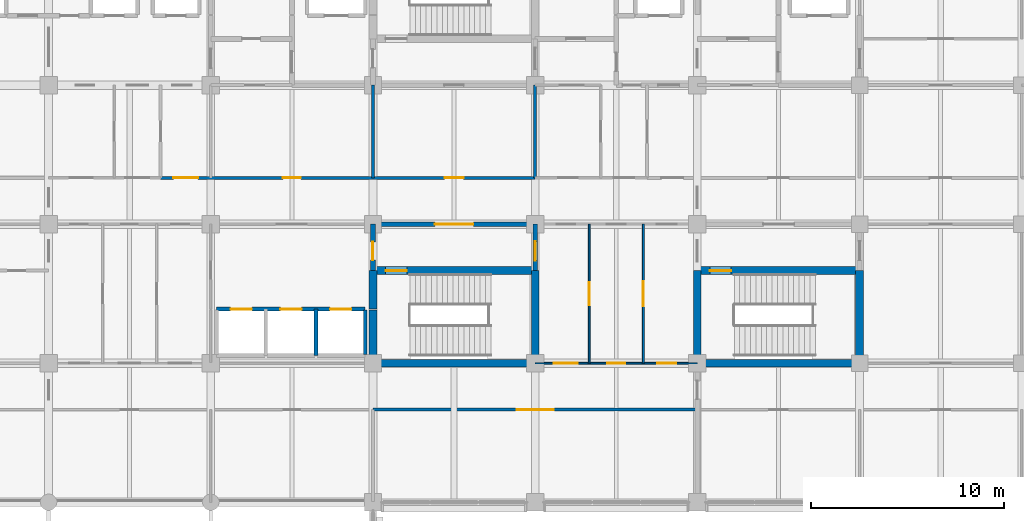
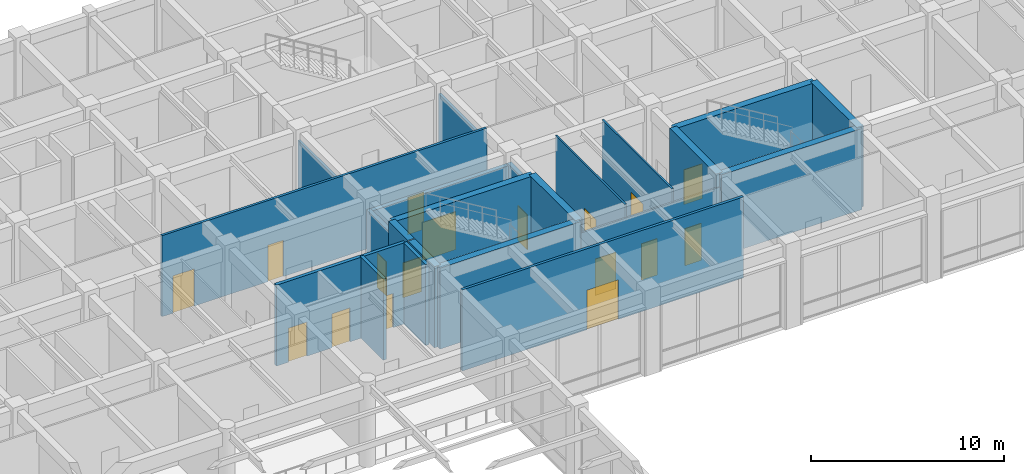
# One storey, part 38 of 58: 22 walls, 17 doors, 17 openings.
"""IFC4 building model written with IfcOpenShell, lengths in metres."""

from ifc_helpers import new_model, si_unit, direction, frame, frame_2d, origin, place, context, subcontext, project, spatial, rectangle, extrude, material, layer, layer_set, type_object, element, fill, save


model = new_model("IFC4")

# Units and contexts
model_context = context("Model", 3, precision=1e-05, world=origin(), true_north=direction((0.0, 1.0)))
body_context = subcontext(model_context, "Body", "Model", "MODEL_VIEW")
ifc_project = project(units=[si_unit("LENGTHUNIT", "METRE"), si_unit("AREAUNIT", "SQUARE_METRE"), si_unit("VOLUMEUNIT", "CUBIC_METRE"), si_unit("PLANEANGLEUNIT", "RADIAN"), si_unit("MASSUNIT", "GRAM", prefix="KILO")], contexts=[model_context])

# Site, building, storey
site_placement = place(None, origin())
site = spatial("IfcSite", under=ifc_project, at=site_placement, CompositionType="ELEMENT")
building_placement = place(site_placement, origin())
building = spatial("IfcBuilding", under=site, at=building_placement, Name="Chengyuan Square Courthouse", CompositionType="ELEMENT")
storey_placement = place(building_placement, frame((0.0, 0.0, 16.199951171875)))
storey = spatial("IfcBuildingStorey", under=building, at=storey_placement, Name="L04", CompositionType="ELEMENT", Elevation=16.199951171875)

# Wall, opening, door
ifc_material_1 = material(Name="Concrete C40", Category="concrete")
ifc_layer_1 = layer(ifc_material_1, 0.25)
ifc_layer_set_1 = layer_set([ifc_layer_1], Name="Concrete C40")
wall_type_1 = type_object("IfcWallType", Name="WL-FW1", PredefinedType="STANDARD", material=ifc_layer_set_1)
wall_1_placement = place(storey_placement, frame((100.800048828125, 93.60009765625, 0.0), z_axis=(0.0, 0.0, 1.0), x_axis=(1.0, 0.0, 0.0)))
wall_1 = element("IfcWall", 1, at=wall_1_placement, inside=storey, type_object=wall_type_1, Name="Interior Wall WL-L04-I1816", PredefinedType="STANDARD", context=body_context, shape_type="SweptSolid", body=[
    extrude(rectangle(XDim=8.39990234375, YDim=0.25, at=frame_2d((4.199951171875, 0.0))), origin(), (0.0, 0.0, 1.0), 4.27001953125),
])
opening_1_placement = place(wall_1_placement, frame((3.199951171875, 0.0, 0.0)))
opening_1 = element("IfcOpeningElement", 2, at=opening_1_placement, cuts=wall_1, Name="Opening DR-1643", PredefinedType="OPENING", context=body_context, shape_type="SweptSolid", body=[
    extrude(rectangle(XDim=2.0, YDim=2.39990234375, at=frame_2d((1.0, 1.199951171875))), frame((0.0, 0.136962890625, 0.0), z_axis=(0.0, -1.0, 0.0), x_axis=(1.0, 0.0, 0.0)), (0.0, 0.0, 1.0), 0.27392578125),
])
ifc_material_2 = material(Name="Steel Q235B Glazed Fire Door", Category="steel")
door_type_1 = type_object("IfcDoorType", Name="DT-20", OperationType="DOUBLE_DOOR_SINGLE_SWING", PredefinedType="DOOR", material=ifc_material_2)
door_1_placement = place(opening_1_placement, frame((2.0, 0.0, 0.0), z_axis=(0.0, 0.0, 1.0), x_axis=(-1.0, 0.0, 0.0)))
door_1 = element("IfcDoor", 3, at=door_1_placement, inside=storey, type_object=door_type_1, Name="Interior Door DR-1643", OperationType="DOUBLE_DOOR_SINGLE_SWING", OverallHeight=2.39990234375, OverallWidth=2.0, PredefinedType="DOOR", context=body_context, shape_type="SweptSolid", body=[
    extrude(rectangle(XDim=2.0, YDim=2.39990234375, at=frame_2d((1.0, 1.199951171875))), frame((0.0, 0.02490234375, 0.0), z_axis=(0.0, -1.0, 0.0), x_axis=(1.0, 0.0, 0.0)), (0.0, 0.0, 1.0), 0.050048828125),
])
fill(opening_1, door_1)

wall_2_placement = place(storey_placement, frame((100.800048828125, 91.199951171875, 0.0), z_axis=(0.0, 0.0, 1.0), x_axis=(0.0, 1.0, 0.0)))
wall_2 = element("IfcWall", 4, at=wall_2_placement, inside=storey, type_object=wall_type_1, Name="Interior Wall WL-L04-I2033", PredefinedType="STANDARD", context=body_context, shape_type="SweptSolid", body=[
    extrude(rectangle(XDim=2.400146484375, YDim=0.25, at=frame_2d((1.2001953125, 0.0))), origin(), (0.0, 0.0, 1.0), 4.3701171875),
])
opening_2_placement = place(wall_2_placement, frame((0.5400390625, 0.0, 0.0)))
opening_2 = element("IfcOpeningElement", 5, at=opening_2_placement, cuts=wall_2, Name="Opening DR-1642", PredefinedType="OPENING", context=body_context, shape_type="SweptSolid", body=[
    extrude(rectangle(XDim=0.949951171875, YDim=2.14990234375, at=frame_2d((0.47509765625, 1.074951171875))), frame((0.0, 0.136962890625, 0.0), z_axis=(0.0, -1.0, 0.0), x_axis=(1.0, 0.0, 0.0)), (0.0, 0.0, 1.0), 0.27392578125),
])
ifc_material_3 = material(Name="Steel Q235B Fire Door", Category="steel")
door_type_2 = type_object("IfcDoorType", Name="DT-12", OperationType="NOTDEFINED", PredefinedType="DOOR", material=ifc_material_3)
door_2_placement = place(opening_2_placement, origin())
door_2 = element("IfcDoor", 6, at=door_2_placement, inside=storey, type_object=door_type_2, Name="Interior Door DR-1642", OperationType="SINGLE_SWING_LEFT", OverallHeight=2.14990234375, OverallWidth=0.949951171875, PredefinedType="DOOR", context=body_context, shape_type="SweptSolid", body=[
    extrude(rectangle(XDim=0.949951171875, YDim=2.14990234375, at=frame_2d((0.47509765625, 1.074951171875))), frame((0.0, 0.02490234375, 0.0), z_axis=(0.0, -1.0, 0.0), x_axis=(1.0, 0.0, 0.0)), (0.0, 0.0, 1.0), 0.050048828125),
])
fill(opening_2, door_2)

wall_3_placement = place(storey_placement, frame((109.199951171875, 91.199951171875, 0.0), z_axis=(0.0, 0.0, 1.0), x_axis=(0.0, 1.0, 0.0)))
wall_3 = element("IfcWall", 7, at=wall_3_placement, inside=storey, type_object=wall_type_1, Name="Interior Wall WL-L04-I2040", PredefinedType="STANDARD", context=body_context, shape_type="SweptSolid", body=[
    extrude(rectangle(XDim=2.400146484375, YDim=0.25, at=frame_2d((1.2001953125, 0.0))), origin(), (0.0, 0.0, 1.0), 4.3701171875),
])
opening_3_placement = place(wall_3_placement, frame((0.514892578125, 0.0, 0.0)))
opening_3 = element("IfcOpeningElement", 8, at=opening_3_placement, cuts=wall_3, Name="Opening DR-1644", PredefinedType="OPENING", context=body_context, shape_type="SweptSolid", body=[
    extrude(rectangle(XDim=1.0, YDim=2.199951171875, at=frame_2d((0.5, 1.10009765625))), frame((0.0, 0.136962890625, 0.0), z_axis=(0.0, -1.0, 0.0), x_axis=(1.0, 0.0, 0.0)), (0.0, 0.0, 1.0), 0.27392578125),
])
door_type_3 = type_object("IfcDoorType", Name="DT-11", OperationType="NOTDEFINED", PredefinedType="DOOR", material=ifc_material_3)
door_3_placement = place(opening_3_placement, origin())
door_3 = element("IfcDoor", 9, at=door_3_placement, inside=storey, type_object=door_type_3, Name="Interior Door DR-1644", OperationType="SINGLE_SWING_RIGHT", OverallHeight=2.199951171875, OverallWidth=1.0, PredefinedType="DOOR", context=body_context, shape_type="SweptSolid", body=[
    extrude(rectangle(XDim=1.0, YDim=2.199951171875, at=frame_2d((0.5, 1.10009765625))), frame((0.0, 0.02490234375, 0.0), z_axis=(0.0, -1.0, 0.0), x_axis=(1.0, 0.0, 0.0)), (0.0, 0.0, 1.0), 0.050048828125),
])
fill(opening_3, door_3)

ifc_material_4 = material(Name="Acoustic Timber-Lined Gypsum Partition", Category="wood")
ifc_layer_2 = layer(ifc_material_4, 0.159912109375)
ifc_layer_set_2 = layer_set([ifc_layer_2], Name="Acoustic Timber-Lined Gypsum Partition")
wall_type_2 = type_object("IfcWallType", Name="WL-PT2", PredefinedType="STANDARD", material=ifc_layer_set_2)
wall_4_placement = place(storey_placement, frame((100.800048828125, 84.0, 0.0), z_axis=(0.0, 0.0, 1.0), x_axis=(1.0, 0.0, 0.0)))
wall_4 = element("IfcWall", 10, at=wall_4_placement, inside=storey, type_object=wall_type_2, Name="Interior Wall WL-L04-I1776", PredefinedType="STANDARD", context=body_context, shape_type="SweptSolid", body=[
    extrude(rectangle(XDim=16.800048828125, YDim=0.159912109375, at=frame_2d((8.39990234375, 0.0))), origin(), (0.0, 0.0, 1.0), 5.1201171875),
])
opening_4_placement = place(wall_4_placement, frame((7.449951171875, 0.0, 0.0)))
opening_4 = element("IfcOpeningElement", 11, at=opening_4_placement, cuts=wall_4, Name="Opening DR-1885", PredefinedType="OPENING", context=body_context, shape_type="SweptSolid", body=[
    extrude(rectangle(XDim=1.89990234375, YDim=2.5, at=frame_2d((0.949951171875, 1.25))), frame((0.0, 0.092041015625, 0.0), z_axis=(0.0, -1.0, 0.0), x_axis=(1.0, 0.0, 0.0)), (0.0, 0.0, 1.0), 0.183837890625),
])
ifc_material_5 = material(Name="Acoustic Larch Veneer Double Door")
door_type_4 = type_object("IfcDoorType", Name="DT-26", OperationType="DOUBLE_DOOR_SINGLE_SWING", PredefinedType="DOOR", material=ifc_material_5)
door_4_placement = place(opening_4_placement, frame((1.89990234375, 0.0, 0.0), z_axis=(0.0, 0.0, 1.0), x_axis=(-1.0, 0.0, 0.0)))
door_4 = element("IfcDoor", 12, at=door_4_placement, inside=storey, type_object=door_type_4, Name="Interior Door DR-1885", OperationType="DOUBLE_DOOR_SINGLE_SWING", OverallHeight=2.5, OverallWidth=1.89990234375, PredefinedType="DOOR", context=body_context, shape_type="SweptSolid", body=[
    extrude(rectangle(XDim=1.89990234375, YDim=2.5, at=frame_2d((0.949951171875, 1.25))), frame((0.0, 0.02490234375, 0.0), z_axis=(0.0, -1.0, 0.0), x_axis=(1.0, 0.0, 0.0)), (0.0, 0.0, 1.0), 0.050048828125),
])
fill(opening_4, door_4)

# Wall, openings, doors
ifc_material_6 = material(Name="Deliberation Room Sound-Insulated Partition")
ifc_layer_3 = layer(ifc_material_6, 0.14990234375)
ifc_layer_set_3 = layer_set([ifc_layer_3], Name="Deliberation Room Sound-Insulated Partition")
wall_type_3 = type_object("IfcWallType", Name="WL-PT3", PredefinedType="STANDARD", material=ifc_layer_set_3)
wall_5_placement = place(storey_placement, frame((89.800048828125, 96.0, 0.0), z_axis=(0.0, 0.0, 1.0), x_axis=(1.0, 0.0, 0.0)))
wall_5 = element("IfcWall", 13, at=wall_5_placement, inside=storey, type_object=wall_type_3, Name="Interior Wall WL-L04-I1829", PredefinedType="STANDARD", context=body_context, shape_type="SweptSolid", body=[
    extrude(rectangle(XDim=19.39990234375, YDim=0.14990234375, at=frame_2d((9.699951171875, 0.0))), origin(), (0.0, 0.0, 1.0), 5.1201171875),
])
opening_5_placement = place(wall_5_placement, frame((0.659912109375, 0.0, 0.0)))
opening_5 = element("IfcOpeningElement", 14, at=opening_5_placement, cuts=wall_5, Name="Opening DR-1775", PredefinedType="OPENING", context=body_context, shape_type="SweptSolid", body=[
    extrude(rectangle(XDim=1.280029296875, YDim=2.35009765625, at=frame_2d((0.64013671875, 1.175048828125))), frame((0.0, 0.0869140625, 0.0), z_axis=(0.0, -1.0, 0.0), x_axis=(1.0, 0.0, 0.0)), (0.0, 0.0, 1.0), 0.173828125),
])
opening_6_placement = place(wall_5_placement, frame((6.330078125, 0.0, 0.0)))
opening_6 = element("IfcOpeningElement", 15, at=opening_6_placement, cuts=wall_5, Name="Opening DR-1776", PredefinedType="OPENING", context=body_context, shape_type="SweptSolid", body=[
    extrude(rectangle(XDim=0.93994140625, YDim=2.300048828125, at=frame_2d((0.469970703125, 1.14990234375))), frame((0.0, 0.0869140625, 0.0), z_axis=(0.0, -1.0, 0.0), x_axis=(1.0, 0.0, 0.0)), (0.0, 0.0, 1.0), 0.173828125),
])
opening_7_placement = place(wall_5_placement, frame((14.7099609375, 0.0, 0.0)))
opening_7 = element("IfcOpeningElement", 16, at=opening_7_placement, cuts=wall_5, Name="Opening DR-1777", PredefinedType="OPENING", context=body_context, shape_type="SweptSolid", body=[
    extrude(rectangle(XDim=0.97998046875, YDim=2.35009765625, at=frame_2d((0.489990234375, 1.175048828125))), frame((0.0, 0.0869140625, 0.0), z_axis=(0.0, -1.0, 0.0), x_axis=(1.0, 0.0, 0.0)), (0.0, 0.0, 1.0), 0.173828125),
])
ifc_material_7 = material(Name="Acoustic Solid-Core Timber Door", Category="wood")
door_type_5 = type_object("IfcDoorType", Name="DT-38", OperationType="NOTDEFINED", PredefinedType="DOOR", material=ifc_material_7)
door_5_placement = place(opening_5_placement, origin())
door_5 = element("IfcDoor", 17, at=door_5_placement, inside=storey, type_object=door_type_5, Name="Interior Door DR-1775", OperationType="SINGLE_SWING_LEFT", OverallHeight=2.35009765625, OverallWidth=1.280029296875, PredefinedType="DOOR", context=body_context, shape_type="SweptSolid", body=[
    extrude(rectangle(XDim=1.280029296875, YDim=2.35009765625, at=frame_2d((0.64013671875, 1.175048828125))), frame((0.0, 0.02490234375, 0.0), z_axis=(0.0, -1.0, 0.0), x_axis=(1.0, 0.0, 0.0)), (0.0, 0.0, 1.0), 0.050048828125),
])
fill(opening_5, door_5)
door_type_6 = type_object("IfcDoorType", Name="DT-39", OperationType="NOTDEFINED", PredefinedType="DOOR", material=ifc_material_7)
door_6_placement = place(opening_6_placement, origin())
door_6 = element("IfcDoor", 18, at=door_6_placement, inside=storey, type_object=door_type_6, Name="Interior Door DR-1776", OperationType="SINGLE_SWING_RIGHT", OverallHeight=2.300048828125, OverallWidth=0.93994140625, PredefinedType="DOOR", context=body_context, shape_type="SweptSolid", body=[
    extrude(rectangle(XDim=0.93994140625, YDim=2.300048828125, at=frame_2d((0.469970703125, 1.14990234375))), frame((0.0, 0.02490234375, 0.0), z_axis=(0.0, -1.0, 0.0), x_axis=(1.0, 0.0, 0.0)), (0.0, 0.0, 1.0), 0.050048828125),
])
fill(opening_6, door_6)
door_type_7 = type_object("IfcDoorType", Name="DT-40", OperationType="NOTDEFINED", PredefinedType="DOOR", material=ifc_material_7)
door_7_placement = place(opening_7_placement, origin())
door_7 = element("IfcDoor", 19, at=door_7_placement, inside=storey, type_object=door_type_7, Name="Interior Door DR-1777", OperationType="SINGLE_SWING_LEFT", OverallHeight=2.35009765625, OverallWidth=0.97998046875, PredefinedType="DOOR", context=body_context, shape_type="SweptSolid", body=[
    extrude(rectangle(XDim=0.97998046875, YDim=2.35009765625, at=frame_2d((0.489990234375, 1.175048828125))), frame((0.0, 0.02490234375, 0.0), z_axis=(0.0, -1.0, 0.0), x_axis=(1.0, 0.0, 0.0)), (0.0, 0.0, 1.0), 0.050048828125),
])
fill(opening_7, door_7)

# Walls
for number, where, z_axis, x_axis, name in (
    (20, (100.800048828125, 96.0, 0.0), (0.0, 0.0, 1.0), (0.0, 1.0, 0.0), "Interior Wall WL-L04-I2034"),
    (21, (109.199951171875, 96.0, 0.0), (0.0, 0.0, 1.0), (0.0, 1.0, 0.0), "Interior Wall WL-L04-I2041"),
):
    element("IfcWall", number, at=place(storey_placement, frame(where, z_axis=z_axis, x_axis=x_axis)), inside=storey, type_object=wall_type_3, Name=name, PredefinedType="STANDARD", context=body_context, shape_type="SweptSolid", body=[
        extrude(rectangle(XDim=4.800048828125, YDim=0.14990234375, at=frame_2d((2.39990234375, 0.0))), origin(), (0.0, 0.0, 1.0), 4.3701171875),
    ])

# Wall, openings, doors
ifc_material_8 = material(Name="Gypsum Plasterboard Acoustic Stud Partition")
ifc_layer_4 = layer(ifc_material_8, 0.10009765625)
ifc_layer_set_4 = layer_set([ifc_layer_4], Name="Gypsum Plasterboard Acoustic Stud Partition")
wall_type_4 = type_object("IfcWallType", Name="WL-PT6", PredefinedType="STANDARD", material=ifc_layer_set_4)
wall_6_placement = place(storey_placement, frame((109.199951171875, 86.39990234375, 0.0), z_axis=(0.0, 0.0, 1.0), x_axis=(1.0, 0.0, 0.0)))
wall_6 = element("IfcWall", 22, at=wall_6_placement, inside=storey, type_object=wall_type_4, Name="Interior Wall WL-L04-I1789", PredefinedType="STANDARD", context=body_context, shape_type="SweptSolid", body=[
    extrude(rectangle(XDim=8.400146484375, YDim=0.10009765625, at=frame_2d((4.2001953125, 0.0))), origin(), (0.0, 0.0, 1.0), 4.27001953125),
])
opening_8_placement = place(wall_6_placement, frame((0.965087890625, 0.0, 0.0)))
opening_8 = element("IfcOpeningElement", 23, at=opening_8_placement, cuts=wall_6, Name="Opening DR-1842", PredefinedType="OPENING", context=body_context, shape_type="SweptSolid", body=[
    extrude(rectangle(XDim=1.239990234375, YDim=2.300048828125, at=frame_2d((0.6201171875, 1.14990234375))), frame((0.0, 0.06201171875, 0.0), z_axis=(0.0, -1.0, 0.0), x_axis=(1.0, 0.0, 0.0)), (0.0, 0.0, 1.0), 0.1240234375),
])
opening_9_placement = place(wall_6_placement, frame((3.72998046875, 0.0, 0.0)))
opening_9 = element("IfcOpeningElement", 24, at=opening_9_placement, cuts=wall_6, Name="Opening DR-1844", PredefinedType="OPENING", context=body_context, shape_type="SweptSolid", body=[
    extrude(rectangle(XDim=0.93994140625, YDim=2.300048828125, at=frame_2d((0.469970703125, 1.14990234375))), frame((0.0, 0.06201171875, 0.0), z_axis=(0.0, -1.0, 0.0), x_axis=(1.0, 0.0, 0.0)), (0.0, 0.0, 1.0), 0.1240234375),
])
opening_10_placement = place(wall_6_placement, frame((6.324951171875, 0.0, 0.0)))
opening_10 = element("IfcOpeningElement", 25, at=opening_10_placement, cuts=wall_6, Name="Opening DR-1845", PredefinedType="OPENING", context=body_context, shape_type="SweptSolid", body=[
    extrude(rectangle(XDim=0.97998046875, YDim=2.35009765625, at=frame_2d((0.489990234375, 1.175048828125))), frame((0.0, 0.06201171875, 0.0), z_axis=(0.0, -1.0, 0.0), x_axis=(1.0, 0.0, 0.0)), (0.0, 0.0, 1.0), 0.1240234375),
])
door_type_8 = type_object("IfcDoorType", Name="DT-37", OperationType="NOTDEFINED", PredefinedType="DOOR", material=ifc_material_7)
door_8_placement = place(opening_8_placement, origin())
door_8 = element("IfcDoor", 26, at=door_8_placement, inside=storey, type_object=door_type_8, Name="Interior Door DR-1842", OperationType="SINGLE_SWING_LEFT", OverallHeight=2.300048828125, OverallWidth=1.239990234375, PredefinedType="DOOR", context=body_context, shape_type="SweptSolid", body=[
    extrude(rectangle(XDim=1.239990234375, YDim=2.300048828125, at=frame_2d((0.6201171875, 1.14990234375))), frame((0.0, 0.02490234375, 0.0), z_axis=(0.0, -1.0, 0.0), x_axis=(1.0, 0.0, 0.0)), (0.0, 0.0, 1.0), 0.050048828125),
])
fill(opening_8, door_8)
door_9_placement = place(opening_9_placement, origin())
door_9 = element("IfcDoor", 27, at=door_9_placement, inside=storey, type_object=door_type_6, Name="Interior Door DR-1844", OperationType="SINGLE_SWING_LEFT", OverallHeight=2.300048828125, OverallWidth=0.93994140625, PredefinedType="DOOR", context=body_context, shape_type="SweptSolid", body=[
    extrude(rectangle(XDim=0.93994140625, YDim=2.300048828125, at=frame_2d((0.469970703125, 1.14990234375))), frame((0.0, 0.02490234375, 0.0), z_axis=(0.0, -1.0, 0.0), x_axis=(1.0, 0.0, 0.0)), (0.0, 0.0, 1.0), 0.050048828125),
])
fill(opening_9, door_9)
door_10_placement = place(opening_10_placement, origin())
door_10 = element("IfcDoor", 28, at=door_10_placement, inside=storey, type_object=door_type_7, Name="Interior Door DR-1845", OperationType="SINGLE_SWING_RIGHT", OverallHeight=2.35009765625, OverallWidth=0.97998046875, PredefinedType="DOOR", context=body_context, shape_type="SweptSolid", body=[
    extrude(rectangle(XDim=0.97998046875, YDim=2.35009765625, at=frame_2d((0.489990234375, 1.175048828125))), frame((0.0, 0.02490234375, 0.0), z_axis=(0.0, -1.0, 0.0), x_axis=(1.0, 0.0, 0.0)), (0.0, 0.0, 1.0), 0.050048828125),
])
fill(opening_10, door_10)

# Wall, opening, door
wall_7_placement = place(storey_placement, frame((112.0, 86.39990234375, 0.0), z_axis=(0.0, 0.0, 1.0), x_axis=(0.0, 1.0, 0.0)))
wall_7 = element("IfcWall", 29, at=wall_7_placement, inside=storey, type_object=wall_type_4, Name="Interior Wall WL-L04-I2045", PredefinedType="STANDARD", context=body_context, shape_type="SweptSolid", body=[
    extrude(rectangle(XDim=7.2001953125, YDim=0.10009765625, at=frame_2d((3.60009765625, 0.0))), origin(), (0.0, 0.0, 1.0), 5.1201171875),
])
opening_11_placement = place(wall_7_placement, frame((3.0, 0.0, 0.0)))
opening_11 = element("IfcOpeningElement", 30, at=opening_11_placement, cuts=wall_7, Name="Opening DR-1841", PredefinedType="OPENING", context=body_context, shape_type="SweptSolid", body=[
    extrude(rectangle(XDim=1.199951171875, YDim=2.35009765625, at=frame_2d((0.60009765625, 1.175048828125))), frame((0.0, 0.06201171875, 0.0), z_axis=(0.0, -1.0, 0.0), x_axis=(1.0, 0.0, 0.0)), (0.0, 0.0, 1.0), 0.1240234375),
])
door_type_9 = type_object("IfcDoorType", Name="DT-36", OperationType="NOTDEFINED", PredefinedType="DOOR", material=ifc_material_7)
door_11_placement = place(opening_11_placement, origin())
door_11 = element("IfcDoor", 31, at=door_11_placement, inside=storey, type_object=door_type_9, Name="Interior Door DR-1841", OperationType="SINGLE_SWING_RIGHT", OverallHeight=2.35009765625, OverallWidth=1.199951171875, PredefinedType="DOOR", context=body_context, shape_type="SweptSolid", body=[
    extrude(rectangle(XDim=1.199951171875, YDim=2.35009765625, at=frame_2d((0.60009765625, 1.175048828125))), frame((0.0, 0.02490234375, 0.0), z_axis=(0.0, -1.0, 0.0), x_axis=(1.0, 0.0, 0.0)), (0.0, 0.0, 1.0), 0.050048828125),
])
fill(opening_11, door_11)

wall_8_placement = place(storey_placement, frame((114.800048828125, 86.39990234375, 0.0), z_axis=(0.0, 0.0, 1.0), x_axis=(0.0, 1.0, 0.0)))
wall_8 = element("IfcWall", 32, at=wall_8_placement, inside=storey, type_object=wall_type_4, Name="Interior Wall WL-L04-I2050", PredefinedType="STANDARD", context=body_context, shape_type="SweptSolid", body=[
    extrude(rectangle(XDim=7.2001953125, YDim=0.10009765625, at=frame_2d((3.60009765625, 0.0))), origin(), (0.0, 0.0, 1.0), 5.1201171875),
])
opening_12_placement = place(wall_8_placement, frame((2.9599609375, 0.0, 0.0)))
opening_12 = element("IfcOpeningElement", 33, at=opening_12_placement, cuts=wall_8, Name="Opening DR-1843", PredefinedType="OPENING", context=body_context, shape_type="SweptSolid", body=[
    extrude(rectangle(XDim=1.280029296875, YDim=2.35009765625, at=frame_2d((0.64013671875, 1.175048828125))), frame((0.0, 0.06201171875, 0.0), z_axis=(0.0, -1.0, 0.0), x_axis=(1.0, 0.0, 0.0)), (0.0, 0.0, 1.0), 0.1240234375),
])
door_12_placement = place(opening_12_placement, origin())
door_12 = element("IfcDoor", 34, at=door_12_placement, inside=storey, type_object=door_type_5, Name="Interior Door DR-1843", OperationType="SINGLE_SWING_RIGHT", OverallHeight=2.35009765625, OverallWidth=1.280029296875, PredefinedType="DOOR", context=body_context, shape_type="SweptSolid", body=[
    extrude(rectangle(XDim=1.280029296875, YDim=2.35009765625, at=frame_2d((0.64013671875, 1.175048828125))), frame((0.0, 0.02490234375, 0.0), z_axis=(0.0, -1.0, 0.0), x_axis=(1.0, 0.0, 0.0)), (0.0, 0.0, 1.0), 0.050048828125),
])
fill(opening_12, door_12)

# Wall, openings, doors
ifc_material_9 = material(Name="Reinforced Masonry Shaft Enclosure", Category="masonry")
ifc_layer_5 = layer(ifc_material_9, 0.199951171875)
ifc_layer_set_5 = layer_set([ifc_layer_5], Name="Reinforced Masonry Shaft Enclosure")
wall_type_5 = type_object("IfcWallType", Name="WL-SH1", PredefinedType="STANDARD", material=ifc_layer_set_5)
wall_9_placement = place(storey_placement, frame((92.699951171875, 89.199951171875, 0.0), z_axis=(0.0, 0.0, 1.0), x_axis=(1.0, 0.0, 0.0)))
wall_9 = element("IfcWall", 35, at=wall_9_placement, inside=storey, type_object=wall_type_5, Name="Interior Wall WL-L04-I1801", PredefinedType="STANDARD", context=body_context, shape_type="SweptSolid", body=[
    extrude(rectangle(XDim=7.699951171875, YDim=0.199951171875, at=frame_2d((3.85009765625, 0.0))), origin(), (0.0, 0.0, 1.0), 5.1201171875),
])
opening_13_placement = place(wall_9_placement, frame((0.72509765625, 0.0, 0.0)))
opening_13 = element("IfcOpeningElement", 36, at=opening_13_placement, cuts=wall_9, Name="Opening LD-080", PredefinedType="OPENING", context=body_context, shape_type="SweptSolid", body=[
    extrude(rectangle(XDim=1.10009765625, YDim=2.14990234375, at=frame_2d((0.550048828125, 1.074951171875))), frame((0.0, 0.112060546875, 0.0), z_axis=(0.0, -1.0, 0.0), x_axis=(1.0, 0.0, 0.0)), (0.0, 0.0, 1.0), 0.223876953125),
])
opening_14_placement = place(wall_9_placement, frame((3.300048828125, 0.0, 0.0)))
opening_14 = element("IfcOpeningElement", 37, at=opening_14_placement, cuts=wall_9, Name="Opening LD-081", PredefinedType="OPENING", context=body_context, shape_type="SweptSolid", body=[
    extrude(rectangle(XDim=1.10009765625, YDim=2.14990234375, at=frame_2d((0.550048828125, 1.074951171875))), frame((0.0, 0.112060546875, 0.0), z_axis=(0.0, -1.0, 0.0), x_axis=(1.0, 0.0, 0.0)), (0.0, 0.0, 1.0), 0.223876953125),
])
opening_15_placement = place(wall_9_placement, frame((5.875, 0.0, 0.0)))
opening_15 = element("IfcOpeningElement", 38, at=opening_15_placement, cuts=wall_9, Name="Opening LD-082", PredefinedType="OPENING", context=body_context, shape_type="SweptSolid", body=[
    extrude(rectangle(XDim=1.10009765625, YDim=2.14990234375, at=frame_2d((0.550048828125, 1.074951171875))), frame((0.0, 0.112060546875, 0.0), z_axis=(0.0, -1.0, 0.0), x_axis=(1.0, 0.0, 0.0)), (0.0, 0.0, 1.0), 0.223876953125),
])
ifc_material_10 = material(Name="Stainless Steel S30408 Lift Landing Door", Category="steel")
door_type_10 = type_object("IfcDoorType", Name="DT-06", OperationType="DOUBLE_DOOR_SLIDING", PredefinedType="DOOR", material=ifc_material_10)
door_13_placement = place(opening_13_placement, origin())
door_13 = element("IfcDoor", 39, at=door_13_placement, inside=storey, type_object=door_type_10, Name="Lift Landing Door LF-P4 L04", OperationType="DOUBLE_DOOR_SLIDING", OverallHeight=2.14990234375, OverallWidth=1.10009765625, PredefinedType="DOOR", context=body_context, shape_type="SweptSolid", body=[
    extrude(rectangle(XDim=1.10009765625, YDim=2.14990234375, at=frame_2d((0.550048828125, 1.074951171875))), frame((0.0, 0.02490234375, 0.0), z_axis=(0.0, -1.0, 0.0), x_axis=(1.0, 0.0, 0.0)), (0.0, 0.0, 1.0), 0.050048828125),
])
fill(opening_13, door_13)
door_14_placement = place(opening_14_placement, origin())
door_14 = element("IfcDoor", 40, at=door_14_placement, inside=storey, type_object=door_type_10, Name="Lift Landing Door LF-P5 L04", OperationType="DOUBLE_DOOR_SLIDING", OverallHeight=2.14990234375, OverallWidth=1.10009765625, PredefinedType="DOOR", context=body_context, shape_type="SweptSolid", body=[
    extrude(rectangle(XDim=1.10009765625, YDim=2.14990234375, at=frame_2d((0.550048828125, 1.074951171875))), frame((0.0, 0.02490234375, 0.0), z_axis=(0.0, -1.0, 0.0), x_axis=(1.0, 0.0, 0.0)), (0.0, 0.0, 1.0), 0.050048828125),
])
fill(opening_14, door_14)
door_15_placement = place(opening_15_placement, origin())
door_15 = element("IfcDoor", 41, at=door_15_placement, inside=storey, type_object=door_type_10, Name="Lift Landing Door LF-P6 L04", OperationType="DOUBLE_DOOR_SLIDING", OverallHeight=2.14990234375, OverallWidth=1.10009765625, PredefinedType="DOOR", context=body_context, shape_type="SweptSolid", body=[
    extrude(rectangle(XDim=1.10009765625, YDim=2.14990234375, at=frame_2d((0.550048828125, 1.074951171875))), frame((0.0, 0.02490234375, 0.0), z_axis=(0.0, -1.0, 0.0), x_axis=(1.0, 0.0, 0.0)), (0.0, 0.0, 1.0), 0.050048828125),
])
fill(opening_15, door_15)

# Walls
wall_10_placement = place(storey_placement, frame((97.85009765625, 86.800048828125, 0.0), z_axis=(0.0, 0.0, 1.0), x_axis=(0.0, 1.0, 0.0)))
element("IfcWall", 42, at=wall_10_placement, inside=storey, type_object=wall_type_5, Name="Interior Wall WL-L04-I2027", PredefinedType="STANDARD", context=body_context, shape_type="SweptSolid", body=[
    extrude(rectangle(XDim=2.39990234375, YDim=0.199951171875, at=frame_2d((1.199951171875, 0.0))), origin(), (0.0, 0.0, 1.0), 5.1201171875),
])
wall_11_placement = place(storey_placement, frame((100.39990234375, 86.85009765625, 0.0), z_axis=(0.0, 0.0, 1.0), x_axis=(0.0, 1.0, 0.0)))
element("IfcWall", 43, at=wall_11_placement, inside=storey, type_object=wall_type_5, Name="Interior Wall WL-L04-I2028", PredefinedType="STANDARD", context=body_context, shape_type="SweptSolid", body=[
    extrude(rectangle(XDim=2.2998046875, YDim=0.199951171875, at=frame_2d((1.14990234375, 0.0))), origin(), (0.0, 0.0, 1.0), 5.1201171875),
])
ifc_material_11 = material(Name="Concrete C50", Category="concrete")
ifc_layer_6 = layer(ifc_material_11, 0.39990234375)
ifc_layer_set_6 = layer_set([ifc_layer_6], Name="Concrete C50")
wall_type_6 = type_object("IfcWallType", Name="WL-SW1", PredefinedType="SHEAR", material=ifc_layer_set_6)
for number, where, z_axis, x_axis, name in (
    (44, (100.800048828125, 86.39990234375, 0.0), (0.0, 0.0, 1.0), (1.0, 0.0, 0.0), "Interior Wall WL-L04-I1788"),
    (45, (117.60009765625, 86.39990234375, 0.0), (0.0, 0.0, 1.0), (1.0, 0.0, 0.0), "Interior Wall WL-L04-I1790"),
):
    element("IfcWall", number, at=place(storey_placement, frame(where, z_axis=z_axis, x_axis=x_axis)), inside=storey, type_object=wall_type_6, Name=name, PredefinedType="SHEAR", context=body_context, shape_type="SweptSolid", body=[
        extrude(rectangle(XDim=8.39990234375, YDim=0.39990234375, at=frame_2d((4.199951171875, 0.0))), origin(), (0.0, 0.0, 1.0), 5.1201171875),
    ])

# Wall, opening, door
wall_12_placement = place(storey_placement, frame((100.800048828125, 91.199951171875, 0.0), z_axis=(0.0, 0.0, 1.0), x_axis=(1.0, 0.0, 0.0)))
wall_12 = element("IfcWall", 46, at=wall_12_placement, inside=storey, type_object=wall_type_6, Name="Interior Wall WL-L04-I1806", PredefinedType="SHEAR", context=body_context, shape_type="SweptSolid", body=[
    extrude(rectangle(XDim=8.39990234375, YDim=0.39990234375, at=frame_2d((4.199951171875, 0.0))), origin(), (0.0, 0.0, 1.0), 5.1201171875),
])
opening_16_placement = place(wall_12_placement, frame((0.64990234375, 0.0, 0.0)))
opening_16 = element("IfcOpeningElement", 47, at=opening_16_placement, cuts=wall_12, Name="Opening DR-1626", PredefinedType="OPENING", context=body_context, shape_type="SweptSolid", body=[
    extrude(rectangle(XDim=1.10009765625, YDim=2.199951171875, at=frame_2d((0.550048828125, 1.10009765625))), frame((0.0, 0.2119140625, 0.0), z_axis=(0.0, -1.0, 0.0), x_axis=(1.0, 0.0, 0.0)), (0.0, 0.0, 1.0), 0.423828125),
])
door_type_11 = type_object("IfcDoorType", Name="DT-10", OperationType="NOTDEFINED", PredefinedType="DOOR", material=ifc_material_3)
door_16_placement = place(opening_16_placement, frame((1.10009765625, 0.0, 0.0), z_axis=(0.0, 0.0, 1.0), x_axis=(-1.0, 0.0, 0.0)))
door_16 = element("IfcDoor", 48, at=door_16_placement, inside=storey, type_object=door_type_11, Name="Smoke-Proof Stairwell Fire Door ST-4 DR-1626", OperationType="SINGLE_SWING_RIGHT", OverallHeight=2.199951171875, OverallWidth=1.10009765625, PredefinedType="DOOR", context=body_context, shape_type="SweptSolid", body=[
    extrude(rectangle(XDim=1.10009765625, YDim=2.199951171875, at=frame_2d((0.550048828125, 1.10009765625))), frame((0.0, 0.02490234375, 0.0), z_axis=(0.0, -1.0, 0.0), x_axis=(1.0, 0.0, 0.0)), (0.0, 0.0, 1.0), 0.050048828125),
])
fill(opening_16, door_16)

wall_13_placement = place(storey_placement, frame((117.60009765625, 91.199951171875, 0.0), z_axis=(0.0, 0.0, 1.0), x_axis=(1.0, 0.0, 0.0)))
wall_13 = element("IfcWall", 49, at=wall_13_placement, inside=storey, type_object=wall_type_6, Name="Interior Wall WL-L04-I1807", PredefinedType="SHEAR", context=body_context, shape_type="SweptSolid", body=[
    extrude(rectangle(XDim=8.39990234375, YDim=0.39990234375, at=frame_2d((4.199951171875, 0.0))), origin(), (0.0, 0.0, 1.0), 5.1201171875),
])
opening_17_placement = place(wall_13_placement, frame((0.64990234375, 0.0, 0.0)))
opening_17 = element("IfcOpeningElement", 50, at=opening_17_placement, cuts=wall_13, Name="Opening DR-1628", PredefinedType="OPENING", context=body_context, shape_type="SweptSolid", body=[
    extrude(rectangle(XDim=1.10009765625, YDim=2.199951171875, at=frame_2d((0.550048828125, 1.10009765625))), frame((0.0, 0.2119140625, 0.0), z_axis=(0.0, -1.0, 0.0), x_axis=(1.0, 0.0, 0.0)), (0.0, 0.0, 1.0), 0.423828125),
])
door_17_placement = place(opening_17_placement, frame((1.10009765625, 0.0, 0.0), z_axis=(0.0, 0.0, 1.0), x_axis=(-1.0, 0.0, 0.0)))
door_17 = element("IfcDoor", 51, at=door_17_placement, inside=storey, type_object=door_type_11, Name="Smoke-Proof Stairwell Fire Door ST-6 DR-1628", OperationType="SINGLE_SWING_RIGHT", OverallHeight=2.199951171875, OverallWidth=1.10009765625, PredefinedType="DOOR", context=body_context, shape_type="SweptSolid", body=[
    extrude(rectangle(XDim=1.10009765625, YDim=2.199951171875, at=frame_2d((0.550048828125, 1.10009765625))), frame((0.0, 0.02490234375, 0.0), z_axis=(0.0, -1.0, 0.0), x_axis=(1.0, 0.0, 0.0)), (0.0, 0.0, 1.0), 0.050048828125),
])
fill(opening_17, door_17)

# Walls
wall_14_placement = place(storey_placement, frame((100.800048828125, 86.449951171875, 0.0), z_axis=(0.0, 0.0, 1.0), x_axis=(0.0, 1.0, 0.0)))
element("IfcWall", 52, at=wall_14_placement, inside=storey, type_object=wall_type_6, Name="Interior Wall WL-L04-I2031", PredefinedType="SHEAR", context=body_context, shape_type="SweptSolid", body=[
    extrude(rectangle(XDim=2.699951171875, YDim=0.39990234375, at=frame_2d((1.35009765625, 0.0))), origin(), (0.0, 0.0, 1.0), 5.1201171875),
])
wall_15_placement = place(storey_placement, frame((100.800048828125, 89.199951171875, 0.0), z_axis=(0.0, 0.0, 1.0), x_axis=(0.0, 1.0, 0.0)))
element("IfcWall", 53, at=wall_15_placement, inside=storey, type_object=wall_type_6, Name="Interior Wall WL-L04-I2032", PredefinedType="SHEAR", context=body_context, shape_type="SweptSolid", body=[
    extrude(rectangle(XDim=2.0, YDim=0.39990234375, at=frame_2d((1.0, 0.0))), origin(), (0.0, 0.0, 1.0), 5.1201171875),
])
for number, where, z_axis, x_axis, name in (
    (54, (109.199951171875, 86.39990234375, 0.0), (0.0, 0.0, 1.0), (0.0, 1.0, 0.0), "Interior Wall WL-L04-I2039"),
    (55, (117.60009765625, 86.39990234375, 0.0), (0.0, 0.0, 1.0), (0.0, 1.0, 0.0), "Interior Wall WL-L04-I2054"),
    (56, (126.0, 86.39990234375, 0.0), (0.0, 0.0, 1.0), (0.0, 1.0, 0.0), "Interior Wall WL-L04-I2062"),
):
    element("IfcWall", number, at=place(storey_placement, frame(where, z_axis=z_axis, x_axis=x_axis)), inside=storey, type_object=wall_type_6, Name=name, PredefinedType="SHEAR", context=body_context, shape_type="SweptSolid", body=[
        extrude(rectangle(XDim=4.800048828125, YDim=0.39990234375, at=frame_2d((2.39990234375, 0.0))), origin(), (0.0, 0.0, 1.0), 5.1201171875),
    ])

save(model, "model.ifc")
